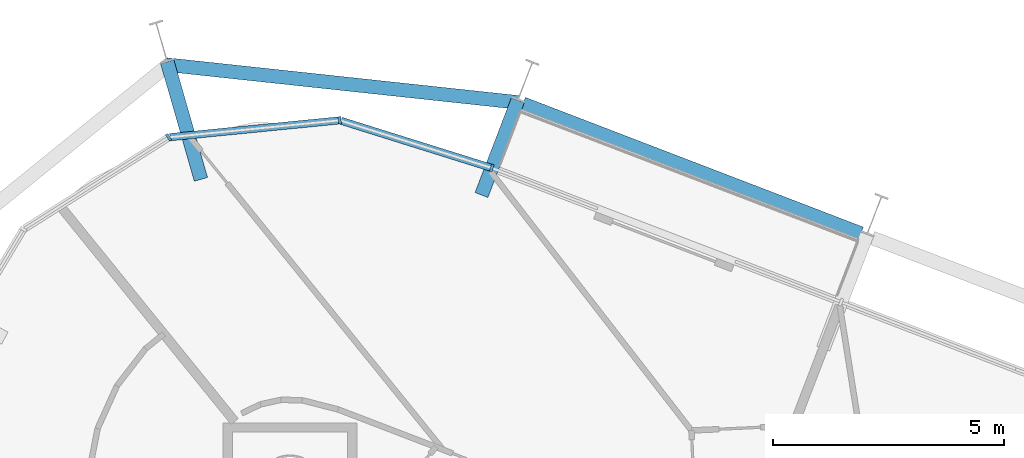
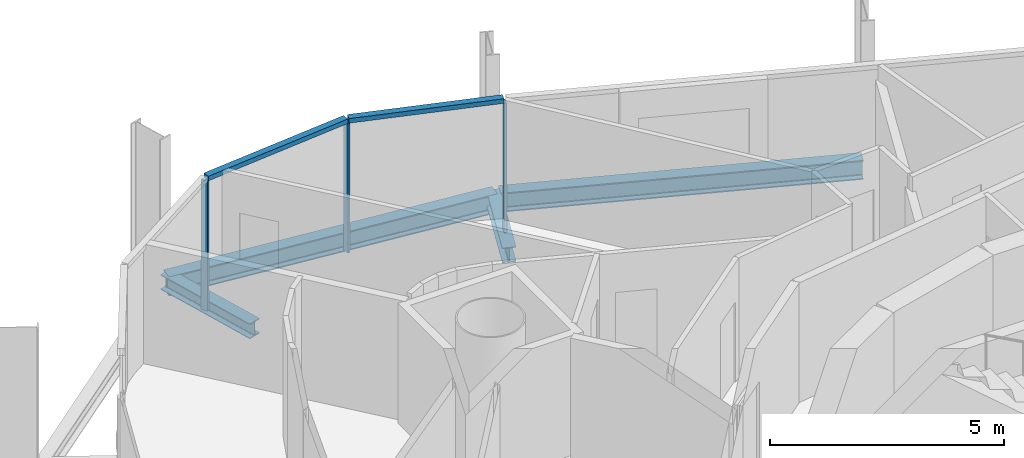
# One storey, part 8 of 18: 5 members, 4 beams, 1 element without a shape of its own.
"""IFC4 building model written with IfcOpenShell, lengths in metres."""

from ifc_helpers import new_model, si_unit, direction, frame, origin, origin_2d, place, context, subcontext, project, spatial, rectangle, i_section, extrude, material, layer, layer_set, material_profile, profile_set, type_object, element, aggregate, save


model = new_model("IFC4")

# Units and contexts
model_context = context("Model", 3, precision=1e-05, world=origin(), true_north=direction((0.0, 1.0)))
body_context = subcontext(model_context, "Body", "Model", "MODEL_VIEW")
ifc_project = project(units=[si_unit("LENGTHUNIT", "METRE"), si_unit("AREAUNIT", "SQUARE_METRE"), si_unit("VOLUMEUNIT", "CUBIC_METRE"), si_unit("PLANEANGLEUNIT", "RADIAN"), si_unit("MASSUNIT", "GRAM", prefix="KILO")], contexts=[model_context])

# Site, building, storey
site_placement = place(None, origin())
site = spatial("IfcSite", under=ifc_project, at=site_placement, CompositionType="ELEMENT")
building_placement = place(site_placement, origin())
building = spatial("IfcBuilding", under=site, at=building_placement, Name="Spindle Arch Residences", CompositionType="ELEMENT")
storey_placement = place(building_placement, frame((0.0, 0.0, 280.89990234375)))
storey = spatial("IfcBuildingStorey", under=building, at=storey_placement, Name="L72", CompositionType="ELEMENT", Elevation=280.89990234375)

# Curtain wall, members
ifc_material_1 = material(Name="Aluminium bronze unitised frame with tinted glass", Category="aluminium")
ifc_layer = layer(ifc_material_1, 0.159912109375)
ifc_layer_set = layer_set([ifc_layer], Name="CW-D corner wall on the fillet arcs")
curtain_wall_type = type_object("IfcCurtainWallType", Name="CW-D corner wall on the fillet arcs", PredefinedType="NOTDEFINED", material=ifc_layer_set)
curtain_wall_placement = place(storey_placement, origin())
curtain_wall = element("IfcCurtainWall", 1, at=curtain_wall_placement, inside=storey, type_object=curtain_wall_type, Name="CW-D L72 run 3", PredefinedType="NOTDEFINED")
ifc_material_2 = material(Name="Aluminium bronze anodised mullion", Category="aluminium")
ifc_material_profile_1 = material_profile(ifc_material_2, rectangle(XDim=0.159912109375, YDim=0.06005859375, at=origin_2d()), Name="MU 60x160")
ifc_profile_set_1 = profile_set([ifc_material_profile_1], Name="Aluminium bronze anodised mullion")
member_type_1 = type_object("IfcMemberType", Name="Bronze mullion 60x160", PredefinedType="MULLION", material=ifc_profile_set_1)
member_1_placement = place(storey_placement, frame((-7.577880859375, 21.73583984375, -0.3798828125), z_axis=(0.0, 0.0, 1.0), x_axis=(-0.298802665594, -0.954314920262, 0.0)))
member_1 = element("IfcMember", 2, at=member_1_placement, type_object=member_type_1, Name="CW-D mullion 00", PredefinedType="MULLION", context=body_context, shape_type="SweptSolid", body=[
    extrude(rectangle(XDim=0.159912109375, YDim=0.06005859375, at=origin_2d()), origin(), (0.0, 0.0, 1.0), 3.3798828125),
])
member_2_placement = place(storey_placement, frame((-10.874755859375, 22.768310546875, -0.3798828125), z_axis=(0.0, 0.0, 1.0), x_axis=(0.098740832762, -0.995113183485, 0.0)))
member_2 = element("IfcMember", 3, at=member_2_placement, type_object=member_type_1, Name="CW-D mullion 01", PredefinedType="MULLION", context=body_context, shape_type="SweptSolid", body=[
    extrude(rectangle(XDim=0.159912109375, YDim=0.06005859375, at=origin_2d()), origin(), (0.0, 0.0, 1.0), 3.3798828125),
])
member_3_placement = place(storey_placement, frame((-14.58349609375, 22.400390625, -0.3798828125), z_axis=(0.0, 0.0, 1.0), x_axis=(0.534844015322, -0.844950814707, 0.0)))
member_3 = element("IfcMember", 4, at=member_3_placement, type_object=member_type_1, Name="CW-D mullion 02", PredefinedType="MULLION", context=body_context, shape_type="SweptSolid", body=[
    extrude(rectangle(XDim=0.159912109375, YDim=0.06005859375, at=origin_2d()), origin(), (0.0, 0.0, 1.0), 3.3798828125),
])
ifc_material_3 = material(Name="Aluminium bronze anodised transom", Category="aluminium")
ifc_material_profile_2 = material_profile(ifc_material_3, rectangle(XDim=0.159912109375, YDim=0.1201171875, at=origin_2d()), Name="TR 120x160")
ifc_profile_set_2 = profile_set([ifc_material_profile_2], Name="Aluminium bronze anodised transom")
member_type_2 = type_object("IfcMemberType", Name="Bronze transom 120x160", PredefinedType="USERDEFINED", material=ifc_profile_set_2)
member_4_placement = place(storey_placement, frame((-7.6064453125, 21.744873046875, 3.06005859375), z_axis=(-0.95431347792, 0.298807272099, 0.0), x_axis=(-0.298807272099, -0.95431347792, 0.0)))
member_4 = element("IfcMember", 5, at=member_4_placement, type_object=member_type_2, Name="CW-D transom 00", ObjectType="TRANSOM", PredefinedType="USERDEFINED", context=body_context, shape_type="SweptSolid", body=[
    extrude(rectangle(XDim=0.159912109375, YDim=0.1201171875, at=origin_2d()), origin(), (0.0, 0.0, 1.0), 3.394775390625),
])
member_5_placement = place(storey_placement, frame((-10.90478515625, 22.765380859375, 3.06005859375), z_axis=(-0.99511271598, -0.098745544182, 0.0), x_axis=(0.098745544182, -0.99511271598, 0.0)))
member_5 = element("IfcMember", 6, at=member_5_placement, type_object=member_type_2, Name="CW-D transom 01", ObjectType="TRANSOM", PredefinedType="USERDEFINED", context=body_context, shape_type="SweptSolid", body=[
    extrude(rectangle(XDim=0.159912109375, YDim=0.1201171875, at=origin_2d()), origin(), (0.0, 0.0, 1.0), 3.66650390625),
])
aggregate(curtain_wall, [member_1, member_4, member_2, member_5, member_3])

# Beams
ifc_material_4 = material(Name="Steel S460ML, intumescent coating R 120", Category="steel")
ifc_material_profile_3 = material_profile(ifc_material_4, i_section(OverallWidth=0.300048828125, OverallDepth=0.5, WebThickness=0.014404296875, FlangeThickness=0.028076171875, FilletRadius=0.027099609375, at=origin_2d()), Name="HEB 500")
ifc_profile_set_3 = profile_set([ifc_material_profile_3], Name="Steel S460ML, intumescent coating R 120")
beam_type_1 = type_object("IfcBeamType", Name="Exoskeleton edge beam HEB 500", PredefinedType="BEAM", material=ifc_profile_set_3)
beam_1_placement = place(storey_placement, frame((0.421875, 20.314697265625, -0.6298828125), z_axis=(-0.933573929793, 0.358384873579, 0.0), x_axis=(-0.358384873579, -0.933573929793, 0.0)))
element("IfcBeam", 7, at=beam_1_placement, inside=storey, type_object=beam_type_1, Name="Exoskeleton edge beam 8", PredefinedType="BEAM", context=body_context, shape_type="SweptSolid", body=[
    extrude(i_section(OverallWidth=0.300048828125, OverallDepth=0.5, WebThickness=0.014404296875, FlangeThickness=0.028076171875, FilletRadius=0.027099609375, at=origin_2d()), origin(), (0.0, 0.0, 1.0), 7.84765625),
])
beam_2_placement = place(storey_placement, frame((-7.004150390625, 23.156005859375, -0.6298828125), z_axis=(-0.994272602523, 0.106873719275, 0.0), x_axis=(-0.106873719275, -0.994272602523, 0.0)))
element("IfcBeam", 8, at=beam_2_placement, inside=storey, type_object=beam_type_1, Name="Exoskeleton edge beam 9", PredefinedType="BEAM", context=body_context, shape_type="SweptSolid", body=[
    extrude(i_section(OverallWidth=0.300048828125, OverallDepth=0.5, WebThickness=0.014404296875, FlangeThickness=0.028076171875, FilletRadius=0.027099609375, at=origin_2d()), origin(), (0.0, 0.0, 1.0), 7.668701171875),
])
ifc_material_5 = material(Name="Steel S460ML, intumescent coating R 120", Category="steel")
ifc_material_profile_4 = material_profile(ifc_material_5, i_section(OverallWidth=0.300048828125, OverallDepth=0.389892578125, WebThickness=0.010986328125, FlangeThickness=0.01904296875, FilletRadius=0.027099609375, at=origin_2d()), Name="HEA 400")
ifc_profile_set_4 = profile_set([ifc_material_profile_4], Name="Steel S460ML, intumescent coating R 120")
beam_type_2 = type_object("IfcBeamType", Name="Floor outrigger HEA 400", PredefinedType="BEAM", material=ifc_profile_set_4)
beam_3_placement = place(storey_placement, frame((-7.01513671875, 23.20166015625, -0.574951171875), z_axis=(-0.358391076308, -0.933571548636, 0.0), x_axis=(0.933571548636, -0.358391076308, 0.0)))
element("IfcBeam", 9, at=beam_3_placement, inside=storey, type_object=beam_type_2, Name="Floor outrigger 9", PredefinedType="BEAM", context=body_context, shape_type="SweptSolid", body=[
    extrude(i_section(OverallWidth=0.300048828125, OverallDepth=0.389892578125, WebThickness=0.010986328125, FlangeThickness=0.01904296875, FilletRadius=0.027099609375, at=origin_2d()), origin(), (0.0, 0.0, 1.0), 2.1982421875),
])
beam_4_placement = place(storey_placement, frame((-14.61328125, 24.03662109375, -0.574951171875), z_axis=(0.275730877709, -0.961234874044, 0.0), x_axis=(0.961234874044, 0.275730877709, 0.0)))
element("IfcBeam", 10, at=beam_4_placement, inside=storey, type_object=beam_type_2, Name="Floor outrigger 10", PredefinedType="BEAM", context=body_context, shape_type="SweptSolid", body=[
    extrude(i_section(OverallWidth=0.300048828125, OverallDepth=0.389892578125, WebThickness=0.010986328125, FlangeThickness=0.01904296875, FilletRadius=0.027099609375, at=origin_2d()), origin(), (0.0, 0.0, 1.0), 2.650146484375),
])

save(model, "model.ifc")
